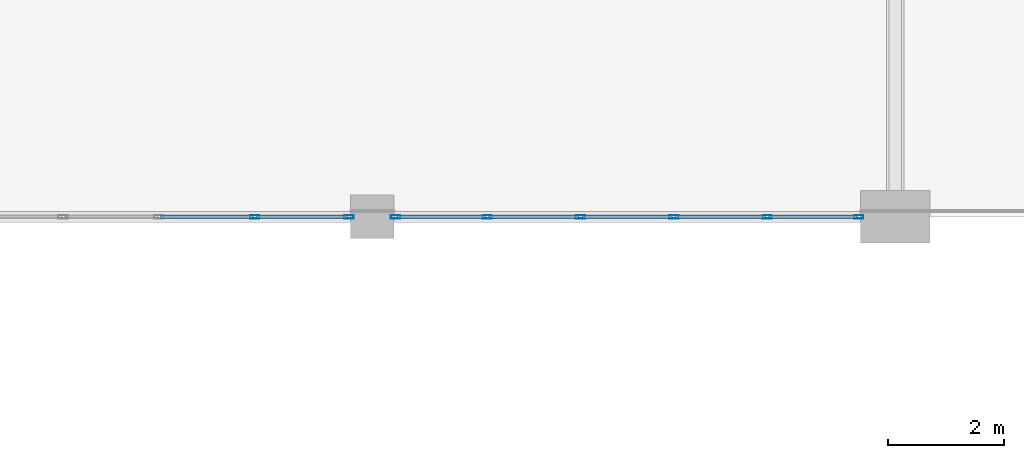
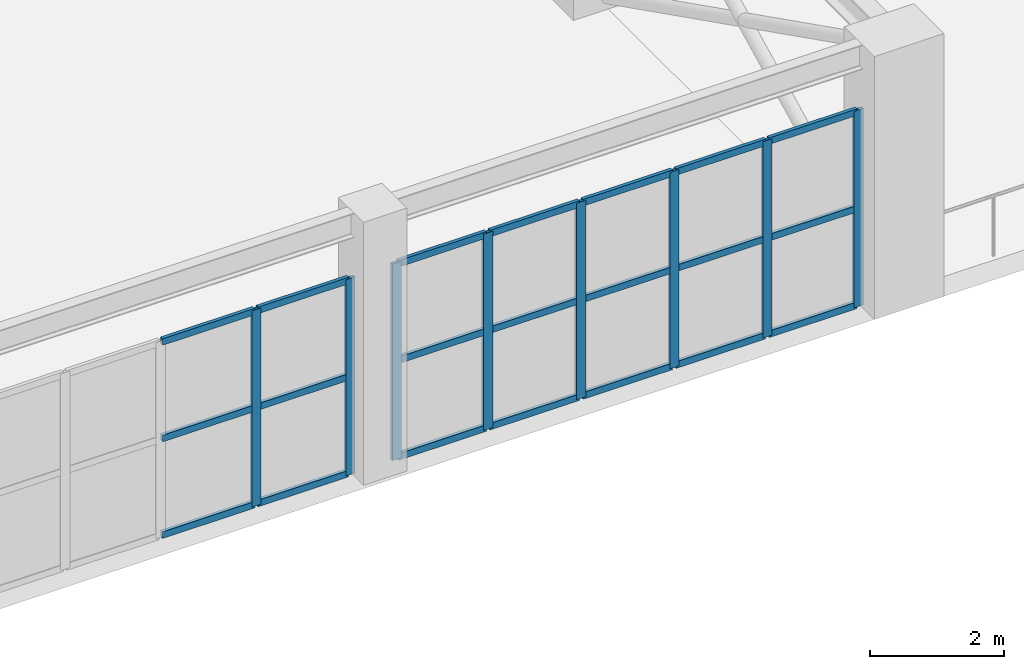
# One storey, part 10 of 89: 29 members, 2 elements without a shape of their own.
"""IFC4 building model written with IfcOpenShell, lengths in metres."""

from ifc_helpers import new_model, si_unit, direction, frame, origin, origin_2d, place, context, subcontext, project, spatial, hollow_rectangle, extrude, material, layer, layer_set, material_profile, profile_set, type_object, element, aggregate, save


model = new_model("IFC4")

# Units and contexts
model_context = context("Model", 3, precision=1e-05, world=origin(), true_north=direction((0.0, 1.0)))
body_context = subcontext(model_context, "Body", "Model", "MODEL_VIEW")
ifc_project = project(units=[si_unit("LENGTHUNIT", "METRE"), si_unit("AREAUNIT", "SQUARE_METRE"), si_unit("VOLUMEUNIT", "CUBIC_METRE"), si_unit("PLANEANGLEUNIT", "RADIAN"), si_unit("MASSUNIT", "GRAM", prefix="KILO")], contexts=[model_context])

# Site, building, storey
site_placement = place(None, origin())
site = spatial("IfcSite", under=ifc_project, at=site_placement, CompositionType="ELEMENT")
building_placement = place(site_placement, origin())
building = spatial("IfcBuilding", under=site, at=building_placement, Name="Dornveld Trade and Exhibition Forum", CompositionType="ELEMENT")
storey_placement = place(building_placement, frame((0.0, 0.0, 12.0)))
storey = spatial("IfcBuildingStorey", under=building, at=storey_placement, Name="L02", CompositionType="ELEMENT", Elevation=12.0)

# Curtain wall, members
ifc_material_1 = material(Name="Dark-bronze anodised aluminium and low-E glass", Category="aluminium")
ifc_layer_1 = layer(ifc_material_1, 0.1689453125)
ifc_layer_set_1 = layer_set([ifc_layer_1], Name="Dark-bronze anodised aluminium and low-E glass")
curtain_wall_type_1 = type_object("IfcCurtainWallType", Name="CW-SYS-09", PredefinedType="USERDEFINED", material=ifc_layer_set_1)
curtain_wall_1_placement = place(storey_placement, origin())
curtain_wall_1 = element("IfcCurtainWall", 1, at=curtain_wall_1_placement, inside=storey, type_object=curtain_wall_type_1, Name="L02 unitised curtain wall 27", ObjectType="UNITISED_CURTAIN_WALL", PredefinedType="USERDEFINED")
ifc_material_2 = material(Name="Dark-bronze anodised aluminium", Category="aluminium")
ifc_material_profile_1 = material_profile(ifc_material_2, hollow_rectangle(XDim=0.06005859375, YDim=0.159912109375, WallThickness=0.00390625, at=origin_2d()), Name="RHS 160x60x4")
ifc_profile_set_1 = profile_set([ifc_material_profile_1], Name="Dark-bronze anodised aluminium")
member_type_1 = type_object("IfcMemberType", Name="CW-MUL-160", PredefinedType="MULLION", material=ifc_profile_set_1)
member_1_placement = place(storey_placement, frame((69.977294921875, 36.0, -0.00390625), z_axis=(0.0, 0.0, 1.0), x_axis=(0.0, 1.0, 0.0)))
member_1 = element("IfcMember", 2, at=member_1_placement, type_object=member_type_1, Name="CW-09 mullion 5", PredefinedType="MULLION", context=body_context, shape_type="SweptSolid", body=[
    extrude(hollow_rectangle(XDim=0.06005859375, YDim=0.159912109375, WallThickness=0.00390625, at=origin_2d()), origin(), (0.0, 0.0, 1.0), 3.583984375),
])
member_2_placement = place(storey_placement, frame((71.59912109375, 36.0, -0.00390625), z_axis=(0.0, 0.0, 1.0), x_axis=(0.0, 1.0, 0.0)))
member_2 = element("IfcMember", 3, at=member_2_placement, type_object=member_type_1, Name="CW-09 mullion 6", PredefinedType="MULLION", context=body_context, shape_type="SweptSolid", body=[
    extrude(hollow_rectangle(XDim=0.06005859375, YDim=0.159912109375, WallThickness=0.00390625, at=origin_2d()), origin(), (0.0, 0.0, 1.0), 3.583984375),
])

ifc_material_3 = material(Name="Dark-bronze anodised aluminium and low-E glass", Category="aluminium")
ifc_layer_2 = layer(ifc_material_3, 0.175048828125)
ifc_layer_set_2 = layer_set([ifc_layer_2], Name="Dark-bronze anodised aluminium and low-E glass")
curtain_wall_type_2 = type_object("IfcCurtainWallType", Name="CW-SYS-11", PredefinedType="USERDEFINED", material=ifc_layer_set_2)
curtain_wall_2_placement = place(storey_placement, origin())
curtain_wall_2 = element("IfcCurtainWall", 4, at=curtain_wall_2_placement, inside=storey, type_object=curtain_wall_type_2, Name="L02 unitised curtain wall 29", ObjectType="UNITISED_CURTAIN_WALL", PredefinedType="USERDEFINED")
member_3_placement = place(storey_placement, frame((72.40087890625, 36.0, -0.00390625), z_axis=(0.0, 0.0, 1.0), x_axis=(0.0, 1.0, 0.0)))
member_3 = element("IfcMember", 5, at=member_3_placement, type_object=member_type_1, Name="CW-11 mullion 1", PredefinedType="MULLION", context=body_context, shape_type="SweptSolid", body=[
    extrude(hollow_rectangle(XDim=0.06005859375, YDim=0.159912109375, WallThickness=0.00390625, at=origin_2d()), origin(), (0.0, 0.0, 1.0), 3.583984375),
])
member_4_placement = place(storey_placement, frame((73.9775390625, 36.0, -0.00390625), z_axis=(0.0, 0.0, 1.0), x_axis=(0.0, 1.0, 0.0)))
member_4 = element("IfcMember", 6, at=member_4_placement, type_object=member_type_1, Name="CW-11 mullion 2", PredefinedType="MULLION", context=body_context, shape_type="SweptSolid", body=[
    extrude(hollow_rectangle(XDim=0.06005859375, YDim=0.159912109375, WallThickness=0.00390625, at=origin_2d()), origin(), (0.0, 0.0, 1.0), 3.583984375),
])
member_5_placement = place(storey_placement, frame((75.584228515625, 36.0, -0.00390625), z_axis=(0.0, 0.0, 1.0), x_axis=(0.0, 1.0, 0.0)))
member_5 = element("IfcMember", 7, at=member_5_placement, type_object=member_type_1, Name="CW-11 mullion 3", PredefinedType="MULLION", context=body_context, shape_type="SweptSolid", body=[
    extrude(hollow_rectangle(XDim=0.06005859375, YDim=0.159912109375, WallThickness=0.00390625, at=origin_2d()), origin(), (0.0, 0.0, 1.0), 3.583984375),
])
member_6_placement = place(storey_placement, frame((77.19091796875, 36.0, -0.00390625), z_axis=(0.0, 0.0, 1.0), x_axis=(0.0, 1.0, 0.0)))
member_6 = element("IfcMember", 8, at=member_6_placement, type_object=member_type_1, Name="CW-11 mullion 4", PredefinedType="MULLION", context=body_context, shape_type="SweptSolid", body=[
    extrude(hollow_rectangle(XDim=0.06005859375, YDim=0.159912109375, WallThickness=0.00390625, at=origin_2d()), origin(), (0.0, 0.0, 1.0), 3.583984375),
])
member_7_placement = place(storey_placement, frame((78.79736328125, 36.0, -0.00390625), z_axis=(0.0, 0.0, 1.0), x_axis=(0.0, 1.0, 0.0)))
member_7 = element("IfcMember", 9, at=member_7_placement, type_object=member_type_1, Name="CW-11 mullion 5", PredefinedType="MULLION", context=body_context, shape_type="SweptSolid", body=[
    extrude(hollow_rectangle(XDim=0.06005859375, YDim=0.159912109375, WallThickness=0.00390625, at=origin_2d()), origin(), (0.0, 0.0, 1.0), 3.583984375),
])
member_8_placement = place(storey_placement, frame((80.3740234375, 36.0, -0.00390625), z_axis=(0.0, 0.0, 1.0), x_axis=(0.0, 1.0, 0.0)))
member_8 = element("IfcMember", 10, at=member_8_placement, type_object=member_type_1, Name="CW-11 mullion 6", PredefinedType="MULLION", context=body_context, shape_type="SweptSolid", body=[
    extrude(hollow_rectangle(XDim=0.06005859375, YDim=0.159912109375, WallThickness=0.00390625, at=origin_2d()), origin(), (0.0, 0.0, 1.0), 3.583984375),
])

# Member
ifc_material_4 = material(Name="Dark-bronze anodised aluminium", Category="aluminium")
ifc_material_profile_2 = material_profile(ifc_material_4, hollow_rectangle(XDim=0.06005859375, YDim=0.1201171875, WallThickness=0.00390625, at=origin_2d()), Name="RHS 120x60x4")
ifc_profile_set_2 = profile_set([ifc_material_profile_2], Name="Dark-bronze anodised aluminium")
member_type_2 = type_object("IfcMemberType", Name="CW-TRN-120", PredefinedType="USERDEFINED", material=ifc_profile_set_2)
member_9_placement = place(storey_placement, frame((68.355712890625, 36.0, 0.02587890625), z_axis=(1.0, 0.0, 0.0), x_axis=(0.0, 1.0, 0.0)))
member_9 = element("IfcMember", 11, at=member_9_placement, type_object=member_type_2, Name="CW-09 transom 4.1", ObjectType="TRANSOM", PredefinedType="USERDEFINED", context=body_context, shape_type="SweptSolid", body=[
    extrude(hollow_rectangle(XDim=0.06005859375, YDim=0.1201171875, WallThickness=0.00390625, at=origin_2d()), origin(), (0.0, 0.0, 1.0), 1.591796875),
])

member_10_placement = place(storey_placement, frame((68.355712890625, 36.0, 1.7880859375), z_axis=(1.0, 0.0, 0.0), x_axis=(0.0, 1.0, 0.0)))
member_10 = element("IfcMember", 12, at=member_10_placement, type_object=member_type_2, Name="CW-09 transom 4.2", ObjectType="TRANSOM", PredefinedType="USERDEFINED", context=body_context, shape_type="SweptSolid", body=[
    extrude(hollow_rectangle(XDim=0.06005859375, YDim=0.1201171875, WallThickness=0.00390625, at=origin_2d()), origin(), (0.0, 0.0, 1.0), 1.591796875),
])

member_11_placement = place(storey_placement, frame((68.355712890625, 36.0, 3.550048828125), z_axis=(1.0, 0.0, 0.0), x_axis=(0.0, 1.0, 0.0)))
member_11 = element("IfcMember", 13, at=member_11_placement, type_object=member_type_2, Name="CW-09 transom 4.3", ObjectType="TRANSOM", PredefinedType="USERDEFINED", context=body_context, shape_type="SweptSolid", body=[
    extrude(hollow_rectangle(XDim=0.06005859375, YDim=0.1201171875, WallThickness=0.00390625, at=origin_2d()), origin(), (0.0, 0.0, 1.0), 1.591796875),
])

member_12_placement = place(storey_placement, frame((70.00732421875, 36.0, 0.02587890625), z_axis=(1.0, 0.0, 0.0), x_axis=(0.0, 1.0, 0.0)))
member_12 = element("IfcMember", 14, at=member_12_placement, type_object=member_type_2, Name="CW-09 transom 5.1", ObjectType="TRANSOM", PredefinedType="USERDEFINED", context=body_context, shape_type="SweptSolid", body=[
    extrude(hollow_rectangle(XDim=0.06005859375, YDim=0.1201171875, WallThickness=0.00390625, at=origin_2d()), origin(), (0.0, 0.0, 1.0), 1.561767578125),
])

member_13_placement = place(storey_placement, frame((70.00732421875, 36.0, 1.7880859375), z_axis=(1.0, 0.0, 0.0), x_axis=(0.0, 1.0, 0.0)))
member_13 = element("IfcMember", 15, at=member_13_placement, type_object=member_type_2, Name="CW-09 transom 5.2", ObjectType="TRANSOM", PredefinedType="USERDEFINED", context=body_context, shape_type="SweptSolid", body=[
    extrude(hollow_rectangle(XDim=0.06005859375, YDim=0.1201171875, WallThickness=0.00390625, at=origin_2d()), origin(), (0.0, 0.0, 1.0), 1.561767578125),
])

member_14_placement = place(storey_placement, frame((70.00732421875, 36.0, 3.550048828125), z_axis=(1.0, 0.0, 0.0), x_axis=(0.0, 1.0, 0.0)))
member_14 = element("IfcMember", 16, at=member_14_placement, type_object=member_type_2, Name="CW-09 transom 5.3", ObjectType="TRANSOM", PredefinedType="USERDEFINED", context=body_context, shape_type="SweptSolid", body=[
    extrude(hollow_rectangle(XDim=0.06005859375, YDim=0.1201171875, WallThickness=0.00390625, at=origin_2d()), origin(), (0.0, 0.0, 1.0), 1.561767578125),
])

aggregate(curtain_wall_1, [member_1, member_2, member_9, member_10, member_11, member_12, member_13, member_14])

member_15_placement = place(storey_placement, frame((72.430908203125, 36.0, 0.02587890625), z_axis=(1.0, 0.0, 0.0), x_axis=(0.0, 1.0, 0.0)))
member_15 = element("IfcMember", 17, at=member_15_placement, type_object=member_type_2, Name="CW-11 transom 1.1", ObjectType="TRANSOM", PredefinedType="USERDEFINED", context=body_context, shape_type="SweptSolid", body=[
    extrude(hollow_rectangle(XDim=0.06005859375, YDim=0.1201171875, WallThickness=0.00390625, at=origin_2d()), origin(), (0.0, 0.0, 1.0), 1.5166015625),
])

member_16_placement = place(storey_placement, frame((72.430908203125, 36.0, 1.7880859375), z_axis=(1.0, 0.0, 0.0), x_axis=(0.0, 1.0, 0.0)))
member_16 = element("IfcMember", 18, at=member_16_placement, type_object=member_type_2, Name="CW-11 transom 1.2", ObjectType="TRANSOM", PredefinedType="USERDEFINED", context=body_context, shape_type="SweptSolid", body=[
    extrude(hollow_rectangle(XDim=0.06005859375, YDim=0.1201171875, WallThickness=0.00390625, at=origin_2d()), origin(), (0.0, 0.0, 1.0), 1.5166015625),
])

member_17_placement = place(storey_placement, frame((72.430908203125, 36.0, 3.550048828125), z_axis=(1.0, 0.0, 0.0), x_axis=(0.0, 1.0, 0.0)))
member_17 = element("IfcMember", 19, at=member_17_placement, type_object=member_type_2, Name="CW-11 transom 1.3", ObjectType="TRANSOM", PredefinedType="USERDEFINED", context=body_context, shape_type="SweptSolid", body=[
    extrude(hollow_rectangle(XDim=0.06005859375, YDim=0.1201171875, WallThickness=0.00390625, at=origin_2d()), origin(), (0.0, 0.0, 1.0), 1.5166015625),
])

member_18_placement = place(storey_placement, frame((74.007568359375, 36.0, 0.02587890625), z_axis=(1.0, 0.0, 0.0), x_axis=(0.0, 1.0, 0.0)))
member_18 = element("IfcMember", 20, at=member_18_placement, type_object=member_type_2, Name="CW-11 transom 2.1", ObjectType="TRANSOM", PredefinedType="USERDEFINED", context=body_context, shape_type="SweptSolid", body=[
    extrude(hollow_rectangle(XDim=0.06005859375, YDim=0.1201171875, WallThickness=0.00390625, at=origin_2d()), origin(), (0.0, 0.0, 1.0), 1.546630859375),
])

member_19_placement = place(storey_placement, frame((74.007568359375, 36.0, 1.7880859375), z_axis=(1.0, 0.0, 0.0), x_axis=(0.0, 1.0, 0.0)))
member_19 = element("IfcMember", 21, at=member_19_placement, type_object=member_type_2, Name="CW-11 transom 2.2", ObjectType="TRANSOM", PredefinedType="USERDEFINED", context=body_context, shape_type="SweptSolid", body=[
    extrude(hollow_rectangle(XDim=0.06005859375, YDim=0.1201171875, WallThickness=0.00390625, at=origin_2d()), origin(), (0.0, 0.0, 1.0), 1.546630859375),
])

member_20_placement = place(storey_placement, frame((74.007568359375, 36.0, 3.550048828125), z_axis=(1.0, 0.0, 0.0), x_axis=(0.0, 1.0, 0.0)))
member_20 = element("IfcMember", 22, at=member_20_placement, type_object=member_type_2, Name="CW-11 transom 2.3", ObjectType="TRANSOM", PredefinedType="USERDEFINED", context=body_context, shape_type="SweptSolid", body=[
    extrude(hollow_rectangle(XDim=0.06005859375, YDim=0.1201171875, WallThickness=0.00390625, at=origin_2d()), origin(), (0.0, 0.0, 1.0), 1.546630859375),
])

member_21_placement = place(storey_placement, frame((75.6142578125, 36.0, 0.02587890625), z_axis=(1.0, 0.0, 0.0), x_axis=(0.0, 1.0, 0.0)))
member_21 = element("IfcMember", 23, at=member_21_placement, type_object=member_type_2, Name="CW-11 transom 3.1", ObjectType="TRANSOM", PredefinedType="USERDEFINED", context=body_context, shape_type="SweptSolid", body=[
    extrude(hollow_rectangle(XDim=0.06005859375, YDim=0.1201171875, WallThickness=0.00390625, at=origin_2d()), origin(), (0.0, 0.0, 1.0), 1.546630859375),
])

member_22_placement = place(storey_placement, frame((75.6142578125, 36.0, 1.7880859375), z_axis=(1.0, 0.0, 0.0), x_axis=(0.0, 1.0, 0.0)))
member_22 = element("IfcMember", 24, at=member_22_placement, type_object=member_type_2, Name="CW-11 transom 3.2", ObjectType="TRANSOM", PredefinedType="USERDEFINED", context=body_context, shape_type="SweptSolid", body=[
    extrude(hollow_rectangle(XDim=0.06005859375, YDim=0.1201171875, WallThickness=0.00390625, at=origin_2d()), origin(), (0.0, 0.0, 1.0), 1.546630859375),
])

member_23_placement = place(storey_placement, frame((75.6142578125, 36.0, 3.550048828125), z_axis=(1.0, 0.0, 0.0), x_axis=(0.0, 1.0, 0.0)))
member_23 = element("IfcMember", 25, at=member_23_placement, type_object=member_type_2, Name="CW-11 transom 3.3", ObjectType="TRANSOM", PredefinedType="USERDEFINED", context=body_context, shape_type="SweptSolid", body=[
    extrude(hollow_rectangle(XDim=0.06005859375, YDim=0.1201171875, WallThickness=0.00390625, at=origin_2d()), origin(), (0.0, 0.0, 1.0), 1.546630859375),
])

member_24_placement = place(storey_placement, frame((77.220703125, 36.0, 0.02587890625), z_axis=(1.0, 0.0, 0.0), x_axis=(0.0, 1.0, 0.0)))
member_24 = element("IfcMember", 26, at=member_24_placement, type_object=member_type_2, Name="CW-11 transom 4.1", ObjectType="TRANSOM", PredefinedType="USERDEFINED", context=body_context, shape_type="SweptSolid", body=[
    extrude(hollow_rectangle(XDim=0.06005859375, YDim=0.1201171875, WallThickness=0.00390625, at=origin_2d()), origin(), (0.0, 0.0, 1.0), 1.546630859375),
])

member_25_placement = place(storey_placement, frame((77.220703125, 36.0, 1.7880859375), z_axis=(1.0, 0.0, 0.0), x_axis=(0.0, 1.0, 0.0)))
member_25 = element("IfcMember", 27, at=member_25_placement, type_object=member_type_2, Name="CW-11 transom 4.2", ObjectType="TRANSOM", PredefinedType="USERDEFINED", context=body_context, shape_type="SweptSolid", body=[
    extrude(hollow_rectangle(XDim=0.06005859375, YDim=0.1201171875, WallThickness=0.00390625, at=origin_2d()), origin(), (0.0, 0.0, 1.0), 1.546630859375),
])

member_26_placement = place(storey_placement, frame((77.220703125, 36.0, 3.550048828125), z_axis=(1.0, 0.0, 0.0), x_axis=(0.0, 1.0, 0.0)))
member_26 = element("IfcMember", 28, at=member_26_placement, type_object=member_type_2, Name="CW-11 transom 4.3", ObjectType="TRANSOM", PredefinedType="USERDEFINED", context=body_context, shape_type="SweptSolid", body=[
    extrude(hollow_rectangle(XDim=0.06005859375, YDim=0.1201171875, WallThickness=0.00390625, at=origin_2d()), origin(), (0.0, 0.0, 1.0), 1.546630859375),
])

member_27_placement = place(storey_placement, frame((78.827392578125, 36.0, 0.02587890625), z_axis=(1.0, 0.0, 0.0), x_axis=(0.0, 1.0, 0.0)))
member_27 = element("IfcMember", 29, at=member_27_placement, type_object=member_type_2, Name="CW-11 transom 5.1", ObjectType="TRANSOM", PredefinedType="USERDEFINED", context=body_context, shape_type="SweptSolid", body=[
    extrude(hollow_rectangle(XDim=0.06005859375, YDim=0.1201171875, WallThickness=0.00390625, at=origin_2d()), origin(), (0.0, 0.0, 1.0), 1.5166015625),
])

member_28_placement = place(storey_placement, frame((78.827392578125, 36.0, 1.7880859375), z_axis=(1.0, 0.0, 0.0), x_axis=(0.0, 1.0, 0.0)))
member_28 = element("IfcMember", 30, at=member_28_placement, type_object=member_type_2, Name="CW-11 transom 5.2", ObjectType="TRANSOM", PredefinedType="USERDEFINED", context=body_context, shape_type="SweptSolid", body=[
    extrude(hollow_rectangle(XDim=0.06005859375, YDim=0.1201171875, WallThickness=0.00390625, at=origin_2d()), origin(), (0.0, 0.0, 1.0), 1.5166015625),
])

member_29_placement = place(storey_placement, frame((78.827392578125, 36.0, 3.550048828125), z_axis=(1.0, 0.0, 0.0), x_axis=(0.0, 1.0, 0.0)))
member_29 = element("IfcMember", 31, at=member_29_placement, type_object=member_type_2, Name="CW-11 transom 5.3", ObjectType="TRANSOM", PredefinedType="USERDEFINED", context=body_context, shape_type="SweptSolid", body=[
    extrude(hollow_rectangle(XDim=0.06005859375, YDim=0.1201171875, WallThickness=0.00390625, at=origin_2d()), origin(), (0.0, 0.0, 1.0), 1.5166015625),
])

aggregate(curtain_wall_2, [member_3, member_4, member_5, member_6, member_7, member_8, member_15, member_16, member_17, member_18, member_19, member_20, member_21, member_22, member_23, member_24, member_25, member_26, member_27, member_28, member_29])

save(model, "model.ifc")
